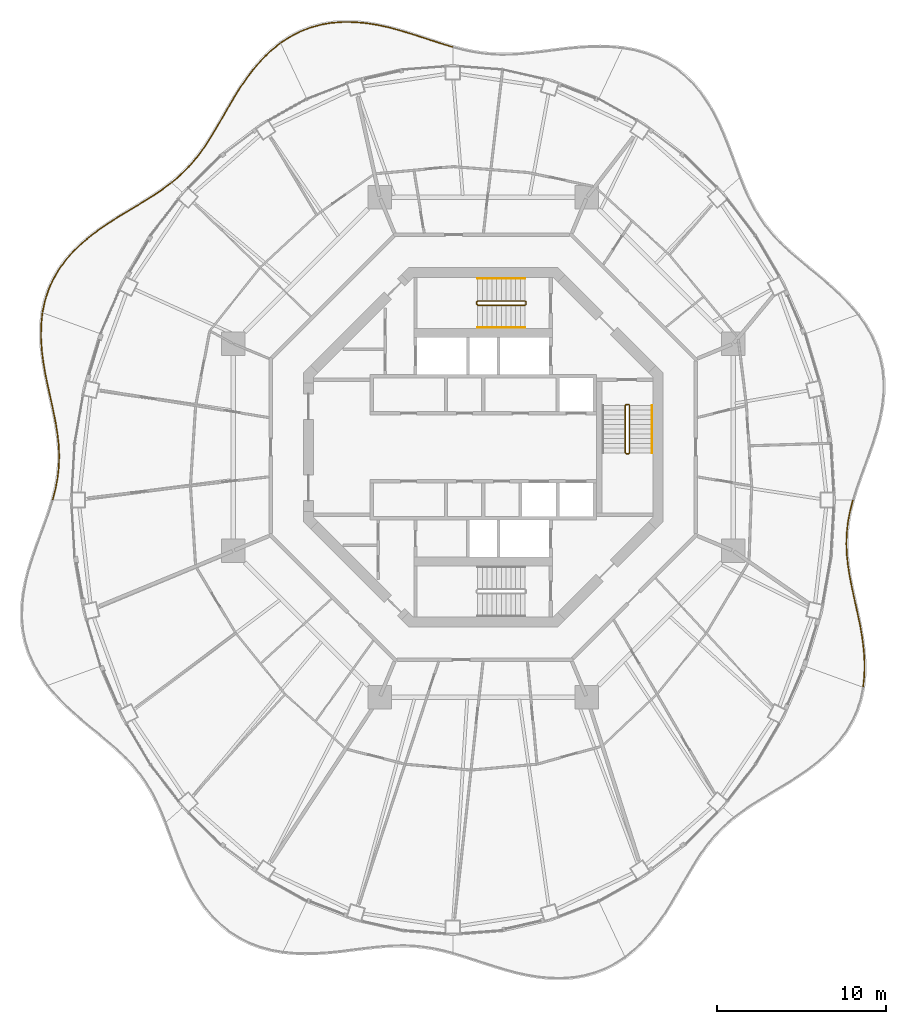
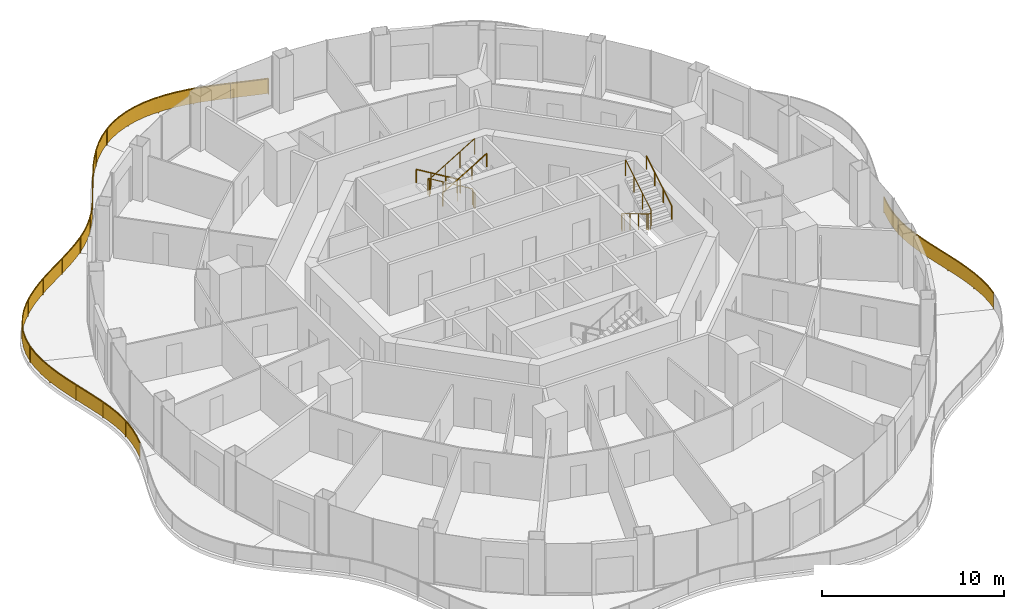
# One storey, part 17 of 18: 10 railings.
"""IFC4 building model written with IfcOpenShell, lengths in metres."""

from ifc_helpers import new_model, si_unit, direction, frame, origin, origin_2d, place, context, subcontext, project, spatial, polyline, rectangle, circle, outline, extrude, material, type_object, element, save


model = new_model("IFC4")

# Units and contexts
model_context = context("Model", 3, precision=1e-05, world=origin(), true_north=direction((0.0, 1.0)))
body_context = subcontext(model_context, "Body", "Model", "MODEL_VIEW")
ifc_project = project(units=[si_unit("LENGTHUNIT", "METRE"), si_unit("AREAUNIT", "SQUARE_METRE"), si_unit("VOLUMEUNIT", "CUBIC_METRE"), si_unit("PLANEANGLEUNIT", "RADIAN"), si_unit("MASSUNIT", "GRAM", prefix="KILO")], contexts=[model_context])

# Site, building, storey
site_placement = place(None, origin())
site = spatial("IfcSite", under=ifc_project, at=site_placement, CompositionType="ELEMENT")
building_placement = place(site_placement, origin())
building = spatial("IfcBuilding", under=site, at=building_placement, Name="Nagisa Residences", CompositionType="ELEMENT")
storey_placement = place(building_placement, frame((0.0, 0.0, 284.39990234375)))
storey = spatial("IfcBuildingStorey", under=building, at=storey_placement, Name="L72", CompositionType="ELEMENT", Elevation=284.39990234375)

# Railings
ifc_material_1 = material(Name="Stainless steel 316", Category="steel")
railing_type_1 = type_object("IfcRailingType", Name="BALCONY GUARD 1100", PredefinedType="BALUSTRADE", material=ifc_material_1)
railing_1_placement = place(storey_placement, frame((-1.83447265625, 23.665771484375, 0.0)))
element("IfcRailing", 1, at=railing_1_placement, inside=storey, type_object=railing_type_1, Name="guard:L72:bal04-0", PredefinedType="BALUSTRADE", context=body_context, shape_type="SweptSolid", body=[
    extrude(outline(polyline([(-0.560791015625, 0.142822265625), (-0.00732421875, -0.02392578125), (0.00732421875, 0.02392578125), (-0.546142578125, 0.190673828125), (-1.154296875, 0.3857421875), (-1.776611328125, 0.59033203125), (-2.4140625, 0.795166015625), (-3.065185546875, 0.990478515625), (-3.7119140625, 1.169189453125), (-4.386962890625, 1.316162109375), (-5.06884765625, 1.4248046875), (-5.75341796875, 1.487060546875), (-6.435546875, 1.495849609375), (-7.093994140625, 1.450439453125), (-7.754638671875, 1.33740234375), (-8.3974609375, 1.159423828125), (-9.0166015625, 0.916748046875), (-9.60791015625, 0.611328125), (-10.12646484375, 0.271484375), (-10.09912109375, 0.2294921875), (-9.58251953125, 0.56787109375), (-8.99609375, 0.871337890625), (-8.3818359375, 1.112060546875), (-7.743896484375, 1.28857421875), (-7.088134765625, 1.400634765625), (-6.43408203125, 1.445556640625), (-5.755859375, 1.437255859375), (-5.0751953125, 1.375), (-4.396240234375, 1.266845703125), (-3.72412109375, 1.120361328125), (-3.078857421875, 0.942138671875), (-2.4287109375, 0.747314453125), (-1.792236328125, 0.54296875), (-1.169921875, 0.33837890625), (-0.560791015625, 0.142822265625)])), frame((0.0, 0.0, 1.050048828125)), (0.0, 0.0, 1.0), 0.050048828125),
    extrude(outline(polyline([(-0.5556640625, 0.16015625), (-0.001953125, -0.006591796875), (0.001953125, 0.006591796875), (-0.55126953125, 0.17333984375), (-1.159912109375, 0.36865234375), (-1.7822265625, 0.5732421875), (-2.419189453125, 0.77783203125), (-3.070068359375, 0.97314453125), (-3.71630859375, 1.151611328125), (-4.390380859375, 1.29833984375), (-5.071044921875, 1.40673828125), (-5.75439453125, 1.46923828125), (-6.43505859375, 1.477783203125), (-7.091796875, 1.4326171875), (-7.750732421875, 1.31982421875), (-8.391845703125, 1.142333984375), (-9.00927734375, 0.900390625), (-9.5986328125, 0.595703125), (-10.11669921875, 0.25634765625), (-10.10888671875, 0.24462890625), (-9.591796875, 0.58349609375), (-9.00341796875, 0.8876953125), (-8.387451171875, 1.129150390625), (-7.747802734375, 1.30615234375), (-7.09033203125, 1.41845703125), (-6.4345703125, 1.463623046875), (-5.7548828125, 1.455078125), (-5.072998046875, 1.39306640625), (-4.392822265625, 1.28466796875), (-3.7197265625, 1.137939453125), (-3.073974609375, 0.95947265625), (-2.423583984375, 0.7646484375), (-1.78662109375, 0.56005859375), (-1.164306640625, 0.35546875), (-0.5556640625, 0.16015625)])), frame((0.0, 0.0, 0.06005859375)), (0.0, 0.0, 1.0), 0.989990234375),
    extrude(rectangle(XDim=0.0400390625, YDim=0.0400390625, at=origin_2d()), origin(), (0.0, 0.0, 1.0), 1.050048828125),
    extrude(rectangle(XDim=0.0400390625, YDim=0.0400390625, at=origin_2d()), frame((-2.014404296875, 0.640380859375, 0.0)), (0.0, 0.0, 1.0), 1.050048828125),
    extrude(rectangle(XDim=0.0400390625, YDim=0.0400390625, at=origin_2d()), frame((-4.047119140625, 1.216552734375, 0.0)), (0.0, 0.0, 1.0), 1.050048828125),
    extrude(rectangle(XDim=0.0400390625, YDim=0.0400390625, at=origin_2d()), frame((-6.141357421875, 1.467041015625, 0.0)), (0.0, 0.0, 1.0), 1.050048828125),
    extrude(rectangle(XDim=0.0400390625, YDim=0.0400390625, at=origin_2d()), frame((-8.22607421875, 1.180908203125, 0.0)), (0.0, 0.0, 1.0), 1.050048828125),
    extrude(rectangle(XDim=0.0400390625, YDim=0.0400390625, at=origin_2d()), frame((-10.11279296875, 0.25048828125, 0.0)), (0.0, 0.0, 1.0), 1.050048828125),
])
railing_2_placement = place(storey_placement, frame((-12.009765625, 23.87060546875, 0.0)))
element("IfcRailing", 2, at=railing_2_placement, inside=storey, type_object=railing_type_1, Name="guard:L72:bal05-0", PredefinedType="BALUSTRADE", context=body_context, shape_type="SweptSolid", body=[
    extrude(outline(polyline([(-0.4892578125, -0.4248046875), (0.015625, -0.01953125), (-0.015625, 0.01953125), (-0.5224609375, -0.38720703125), (-1.0302734375, -0.873779296875), (-1.501220703125, -1.40234375), (-1.93701171875, -1.963623046875), (-2.340576171875, -2.54736328125), (-2.70458984375, -3.135009765625), (-3.060546875, -3.734130859375), (-3.402587890625, -4.327392578125), (-3.737060546875, -4.906494140625), (-4.072509765625, -5.46533203125), (-4.4033203125, -5.988037109375), (-4.7607421875, -6.492431640625), (-5.138916015625, -6.966796875), (-5.542724609375, -7.410888671875), (-5.97509765625, -7.826904296875), (-6.406005859375, -8.190673828125), (-6.373779296875, -8.228759765625), (-5.94140625, -7.864013671875), (-5.506591796875, -7.445556640625), (-5.100830078125, -6.9990234375), (-4.720703125, -6.522705078125), (-4.36181640625, -6.015869140625), (-4.030029296875, -5.49169921875), (-3.694091796875, -4.931884765625), (-3.359130859375, -4.352294921875), (-3.017578125, -3.759521484375), (-2.66162109375, -3.160888671875), (-2.298583984375, -2.57470703125), (-1.896484375, -1.993408203125), (-1.462646484375, -1.4345703125), (-0.994140625, -0.908447265625), (-0.4892578125, -0.4248046875)])), frame((0.0, 0.0, 1.050048828125)), (0.0, 0.0, 1.0), 0.050048828125),
    extrude(outline(polyline([(-0.501220703125, -0.411376953125), (0.00439453125, -0.00537109375), (-0.00439453125, 0.00537109375), (-0.510498046875, -0.400634765625), (-1.017333984375, -0.88623046875), (-1.4873046875, -1.4140625), (-1.92236328125, -1.974365234375), (-2.325439453125, -2.55712890625), (-2.689208984375, -3.144287109375), (-3.045166015625, -3.743408203125), (-3.386962890625, -4.33642578125), (-3.7216796875, -4.91552734375), (-4.05712890625, -5.474853515625), (-4.388427734375, -5.998046875), (-4.746337890625, -6.50341796875), (-5.125244140625, -6.978271484375), (-5.52978515625, -7.42333984375), (-5.962890625, -7.84033203125), (-6.394287109375, -8.204345703125), (-6.385498046875, -8.215087890625), (-5.95361328125, -7.8505859375), (-5.51953125, -7.43310546875), (-5.114501953125, -6.987548828125), (-4.735107421875, -6.51171875), (-4.376708984375, -6.005859375), (-4.04541015625, -5.482177734375), (-3.70947265625, -4.9228515625), (-3.374755859375, -4.34326171875), (-3.032958984375, -3.750244140625), (-2.677001953125, -3.151611328125), (-2.313720703125, -2.56494140625), (-1.9111328125, -1.982666015625), (-1.4765625, -1.4228515625), (-1.007080078125, -0.89599609375), (-0.501220703125, -0.411376953125)])), frame((0.0, 0.0, 0.06005859375)), (0.0, 0.0, 1.0), 0.989990234375),
    extrude(rectangle(XDim=0.0400390625, YDim=0.0400390625, at=origin_2d()), origin(), (0.0, 0.0, 1.0), 1.050048828125),
    extrude(rectangle(XDim=0.0400390625, YDim=0.0400390625, at=origin_2d()), frame((-1.506591796875, -1.4501953125, 0.0)), (0.0, 0.0, 1.0), 1.050048828125),
    extrude(rectangle(XDim=0.0400390625, YDim=0.0400390625, at=origin_2d()), frame((-2.697998046875, -3.1728515625, 0.0)), (0.0, 0.0, 1.0), 1.050048828125),
    extrude(rectangle(XDim=0.0400390625, YDim=0.0400390625, at=origin_2d()), frame((-3.754150390625, -4.983642578125, 0.0)), (0.0, 0.0, 1.0), 1.050048828125),
    extrude(rectangle(XDim=0.0400390625, YDim=0.0400390625, at=origin_2d()), frame((-4.915283203125, -6.7265625, 0.0)), (0.0, 0.0, 1.0), 1.050048828125),
    extrude(rectangle(XDim=0.0400390625, YDim=0.0400390625, at=origin_2d()), frame((-6.389892578125, -8.209716796875, 0.0)), (0.0, 0.0, 1.0), 1.050048828125),
])
railing_3_placement = place(storey_placement, frame((-18.455810546875, 15.618408203125, 0.0)))
element("IfcRailing", 3, at=railing_3_placement, inside=storey, type_object=railing_type_1, Name="guard:L72:bal06-0", PredefinedType="BALUSTRADE", context=body_context, shape_type="SweptSolid", body=[
    extrude(outline(polyline([(-0.471923828125, -0.3837890625), (0.014892578125, -0.02001953125), (-0.014892578125, 0.02001953125), (-0.500732421875, -0.3427734375), (-1.0517578125, -0.7158203125), (-1.630615234375, -1.080322265625), (-2.23046875, -1.443603515625), (-2.84375, -1.813720703125), (-3.45263671875, -2.18603515625), (-4.063232421875, -2.591552734375), (-4.656005859375, -3.023681640625), (-5.219970703125, -3.487060546875), (-5.744384765625, -3.98486328125), (-6.212890625, -4.505859375), (-6.63037109375, -5.075927734375), (-6.9833984375, -5.68017578125), (-7.267822265625, -6.31640625), (-7.4814453125, -6.98046875), (-7.614013671875, -7.62158203125), (-7.565185546875, -7.6318359375), (-7.43310546875, -6.9931640625), (-7.220947265625, -6.33447265625), (-6.93896484375, -5.703125), (-6.58837890625, -5.103271484375), (-6.173828125, -4.53759765625), (-5.708251953125, -4.02001953125), (-5.186767578125, -3.524658203125), (-4.625244140625, -3.063232421875), (-4.034423828125, -2.632568359375), (-3.42578125, -2.22802734375), (-2.81787109375, -1.856689453125), (-2.20458984375, -1.486572265625), (-1.604248046875, -1.122802734375), (-1.0244140625, -0.7578125), (-0.471923828125, -0.3837890625)])), frame((0.0, 0.0, 1.050048828125)), (0.0, 0.0, 1.0), 0.050048828125),
    extrude(outline(polyline([(-0.482177734375, -0.368896484375), (0.004150390625, -0.005615234375), (-0.004150390625, 0.005615234375), (-0.490478515625, -0.357666015625), (-1.0419921875, -0.73095703125), (-1.62109375, -1.095703125), (-2.22119140625, -1.458984375), (-2.83447265625, -1.8291015625), (-3.44287109375, -2.201171875), (-4.052734375, -2.606201171875), (-4.64501953125, -3.037841796875), (-5.2080078125, -3.500732421875), (-5.7314453125, -3.99755859375), (-6.19873046875, -4.517333984375), (-6.615234375, -5.085693359375), (-6.967529296875, -5.6884765625), (-7.2509765625, -6.322998046875), (-7.464111328125, -6.985107421875), (-7.596435546875, -7.625244140625), (-7.582763671875, -7.628173828125), (-7.450439453125, -6.988525390625), (-7.23779296875, -6.327880859375), (-6.954833984375, -5.69482421875), (-6.603515625, -5.093505859375), (-6.18798828125, -4.526123046875), (-5.72119140625, -4.00732421875), (-5.19873046875, -3.510986328125), (-4.63623046875, -3.049072265625), (-4.044921875, -2.617919921875), (-3.435546875, -2.212890625), (-2.8271484375, -1.84130859375), (-2.2138671875, -1.47119140625), (-1.61376953125, -1.107421875), (-1.0341796875, -0.74267578125), (-0.482177734375, -0.368896484375)])), frame((0.0, 0.0, 0.06005859375)), (0.0, 0.0, 1.0), 0.989990234375),
    extrude(rectangle(XDim=0.0400390625, YDim=0.0400390625, at=origin_2d()), origin(), (0.0, 0.0, 1.0), 1.050048828125),
    extrude(rectangle(XDim=0.0400390625, YDim=0.0400390625, at=origin_2d()), frame((-1.84912109375, -1.241943359375, 0.0)), (0.0, 0.0, 1.0), 1.050048828125),
    extrude(rectangle(XDim=0.0400390625, YDim=0.0400390625, at=origin_2d()), frame((-3.74658203125, -2.4111328125, 0.0)), (0.0, 0.0, 1.0), 1.050048828125),
    extrude(rectangle(XDim=0.0400390625, YDim=0.0400390625, at=origin_2d()), frame((-5.497314453125, -3.784912109375, 0.0)), (0.0, 0.0, 1.0), 1.050048828125),
    extrude(rectangle(XDim=0.0400390625, YDim=0.0400390625, at=origin_2d()), frame((-6.8671875, -5.530517578125, 0.0)), (0.0, 0.0, 1.0), 1.050048828125),
    extrude(rectangle(XDim=0.0400390625, YDim=0.0400390625, at=origin_2d()), frame((-7.589599609375, -7.626708984375, 0.0)), (0.0, 0.0, 1.0), 1.050048828125),
])
railing_4_placement = place(storey_placement, frame((-26.056884765625, 7.915283203125, 0.0)))
element("IfcRailing", 4, at=railing_4_placement, inside=storey, type_object=railing_type_1, Name="guard:L72:bal07-0", PredefinedType="BALUSTRADE", context=body_context, shape_type="SweptSolid", body=[
    extrude(outline(polyline([(-0.046142578125, -0.680908203125), (0.02490234375, -0.002685546875), (-0.02490234375, 0.002685546875), (-0.095947265625, -0.677978515625), (-0.107421875, -1.417236328125), (-0.061279296875, -2.1630859375), (0.031982421875, -2.90869140625), (0.16015625, -3.6494140625), (0.313720703125, -4.367431640625), (0.47216796875, -5.08642578125), (0.6259765625, -5.791015625), (0.76220703125, -6.48046875), (0.869873046875, -7.155517578125), (0.94189453125, -7.8037109375), (0.967041015625, -8.455322265625), (0.94384765625, -9.10009765625), (0.8701171875, -9.7421875), (0.74755859375, -10.38525390625), (0.590576171875, -10.991943359375), (0.638916015625, -11.004638671875), (0.79638671875, -10.39599609375), (0.91943359375, -9.74951171875), (0.99365234375, -9.10400390625), (1.017333984375, -8.455322265625), (0.99169921875, -7.7998046875), (0.919677734375, -7.148681640625), (0.8115234375, -6.4716796875), (0.6748046875, -5.78076171875), (0.52099609375, -5.07568359375), (0.362548828125, -4.356689453125), (0.20947265625, -3.64013671875), (0.081298828125, -2.9013671875), (-0.011474609375, -2.158203125), (-0.05712890625, -1.416259765625), (-0.046142578125, -0.680908203125)])), frame((0.0, 0.0, 1.050048828125)), (0.0, 0.0, 1.0), 0.050048828125),
    extrude(outline(polyline([(-0.06396484375, -0.679931640625), (0.007080078125, -0.000732421875), (-0.007080078125, 0.000732421875), (-0.078125, -0.678955078125), (-0.08935546875, -1.4169921875), (-0.04345703125, -2.161376953125), (0.0498046875, -2.906005859375), (0.177978515625, -3.64599609375), (0.331298828125, -4.363525390625), (0.48974609375, -5.08251953125), (0.6435546875, -5.787353515625), (0.780029296875, -6.477294921875), (0.887939453125, -7.153076171875), (0.959716796875, -7.80224609375), (0.985107421875, -8.455322265625), (0.961669921875, -9.1015625), (0.887939453125, -9.744873046875), (0.76513671875, -10.38916015625), (0.60791015625, -10.99658203125), (0.62158203125, -11.0), (0.77880859375, -10.39208984375), (0.901611328125, -9.746826171875), (0.975830078125, -9.1025390625), (0.999267578125, -8.455322265625), (0.973876953125, -7.80126953125), (0.901611328125, -7.151123046875), (0.793701171875, -6.474853515625), (0.6572265625, -5.784423828125), (0.50341796875, -5.07958984375), (0.344970703125, -4.360595703125), (0.191650390625, -3.6435546875), (0.0634765625, -2.904052734375), (-0.029296875, -2.159912109375), (-0.0751953125, -1.41650390625), (-0.06396484375, -0.679931640625)])), frame((0.0, 0.0, 0.06005859375)), (0.0, 0.0, 1.0), 0.989990234375),
    extrude(rectangle(XDim=0.0400390625, YDim=0.0400390625, at=origin_2d()), origin(), (0.0, 0.0, 1.0), 1.050048828125),
    extrude(rectangle(XDim=0.0400390625, YDim=0.0400390625, at=origin_2d()), frame((-0.02880859375, -2.220947265625, 0.0)), (0.0, 0.0, 1.0), 1.050048828125),
    extrude(rectangle(XDim=0.0400390625, YDim=0.0400390625, at=origin_2d()), frame((0.349609375, -4.413818359375, 0.0)), (0.0, 0.0, 1.0), 1.050048828125),
    extrude(rectangle(XDim=0.0400390625, YDim=0.0400390625, at=origin_2d()), frame((0.805419921875, -6.593017578125, 0.0)), (0.0, 0.0, 1.0), 1.050048828125),
    extrude(rectangle(XDim=0.0400390625, YDim=0.0400390625, at=origin_2d()), frame((0.9794921875, -8.8076171875, 0.0)), (0.0, 0.0, 1.0), 1.050048828125),
    extrude(rectangle(XDim=0.0400390625, YDim=0.0400390625, at=origin_2d()), frame((0.61474609375, -10.998291015625, 0.0)), (0.0, 0.0, 1.0), 1.050048828125),
])
railing_5_placement = place(storey_placement, frame((22.45703125, -14.150634765625, 0.0)))
element("IfcRailing", 5, at=railing_5_placement, inside=storey, type_object=railing_type_1, Name="guard:L72:bal15-0", PredefinedType="BALUSTRADE", context=body_context, shape_type="SweptSolid", body=[
    extrude(outline(polyline([(0.0458984375, 0.680908203125), (-0.02490234375, 0.002685546875), (0.02490234375, -0.002685546875), (0.095703125, 0.677978515625), (0.107421875, 1.417236328125), (0.06103515625, 2.1630859375), (-0.0322265625, 2.90869140625), (-0.16015625, 3.6494140625), (-0.313720703125, 4.367431640625), (-0.472412109375, 5.08642578125), (-0.626220703125, 5.791015625), (-0.762451171875, 6.48046875), (-0.8701171875, 7.155517578125), (-0.94189453125, 7.8037109375), (-0.96728515625, 8.455322265625), (-0.94384765625, 9.10009765625), (-0.870361328125, 9.7421875), (-0.747802734375, 10.385009765625), (-0.5908203125, 10.991943359375), (-0.63916015625, 11.004638671875), (-0.796630859375, 10.395751953125), (-0.919677734375, 9.74951171875), (-0.99365234375, 9.10400390625), (-1.017578125, 8.455322265625), (-0.99169921875, 7.7998046875), (-0.919921875, 7.148681640625), (-0.811767578125, 6.4716796875), (-0.675048828125, 5.78076171875), (-0.521240234375, 5.07568359375), (-0.362548828125, 4.356689453125), (-0.20947265625, 3.64013671875), (-0.08154296875, 2.9013671875), (0.01123046875, 2.158203125), (0.05712890625, 1.416259765625), (0.0458984375, 0.680908203125)])), frame((0.0, 0.0, 1.050048828125)), (0.0, 0.0, 1.0), 0.050048828125),
    extrude(outline(polyline([(0.063720703125, 0.679931640625), (-0.007080078125, 0.000732421875), (0.007080078125, -0.000732421875), (0.077880859375, 0.678955078125), (0.08935546875, 1.4169921875), (0.043212890625, 2.161376953125), (-0.050048828125, 2.906005859375), (-0.177978515625, 3.64599609375), (-0.331298828125, 4.363525390625), (-0.489990234375, 5.08251953125), (-0.643798828125, 5.787353515625), (-0.7802734375, 6.477294921875), (-0.88818359375, 7.153076171875), (-0.959716796875, 7.80224609375), (-0.9853515625, 8.455322265625), (-0.961669921875, 9.1015625), (-0.88818359375, 9.744873046875), (-0.765380859375, 10.388916015625), (-0.608154296875, 10.99658203125), (-0.621826171875, 11.0), (-0.779052734375, 10.391845703125), (-0.90185546875, 9.746826171875), (-0.975830078125, 9.1025390625), (-0.99951171875, 8.455322265625), (-0.973876953125, 7.80126953125), (-0.90185546875, 7.151123046875), (-0.7939453125, 6.474853515625), (-0.657470703125, 5.784423828125), (-0.503662109375, 5.07958984375), (-0.344970703125, 4.360595703125), (-0.191650390625, 3.6435546875), (-0.063720703125, 2.904052734375), (0.029052734375, 2.159912109375), (0.0751953125, 1.41650390625), (0.063720703125, 0.679931640625)])), frame((0.0, 0.0, 0.06005859375)), (0.0, 0.0, 1.0), 0.989990234375),
    extrude(rectangle(XDim=0.0400390625, YDim=0.0400390625, at=origin_2d()), origin(), (0.0, 0.0, 1.0), 1.050048828125),
    extrude(rectangle(XDim=0.0400390625, YDim=0.0400390625, at=origin_2d()), frame((0.028564453125, 2.220947265625, 0.0)), (0.0, 0.0, 1.0), 1.050048828125),
    extrude(rectangle(XDim=0.0400390625, YDim=0.0400390625, at=origin_2d()), frame((-0.349609375, 4.413818359375, 0.0)), (0.0, 0.0, 1.0), 1.050048828125),
    extrude(rectangle(XDim=0.0400390625, YDim=0.0400390625, at=origin_2d()), frame((-0.8056640625, 6.5927734375, 0.0)), (0.0, 0.0, 1.0), 1.050048828125),
    extrude(rectangle(XDim=0.0400390625, YDim=0.0400390625, at=origin_2d()), frame((-0.9794921875, 8.8076171875, 0.0)), (0.0, 0.0, 1.0), 1.050048828125),
    extrude(rectangle(XDim=0.0400390625, YDim=0.0400390625, at=origin_2d()), frame((-0.614990234375, 10.998291015625, 0.0)), (0.0, 0.0, 1.0), 1.050048828125),
])
ifc_material_2 = material(Name="Stainless steel", Category="steel")
railing_type_2 = type_object("IfcRailingType", Name="Stair guard 1100", PredefinedType="GUARDRAIL", material=ifc_material_2)
railing_6_placement = place(storey_placement, frame((8.599609375, 2.52490234375, 0.0)))
element("IfcRailing", 6, at=railing_6_placement, inside=storey, type_object=railing_type_2, Name="L72 ST-E stair guard 1", PredefinedType="GUARDRAIL", context=body_context, shape_type="SweptSolid", body=[
    extrude(circle(Radius=0.02392578125, at=origin_2d()), frame((0.0, 0.0, 1.076171875), z_axis=(-1.0, 0.0, 0.0), x_axis=(0.0, -1.0, 0.0)), (0.0, 0.0, 1.0), 0.14990234375),
    extrude(circle(Radius=0.02392578125, at=origin_2d()), frame((-0.14990234375, 0.0, 1.076171875), z_axis=(-0.27434429532, -0.273006030465, 0.922064485248), x_axis=(0.705375805398, -0.708833529934, 0.0)), (0.0, 0.0, 1.0), 0.182373046875),
    extrude(circle(Radius=0.02392578125, at=origin_2d()), frame((-0.199951171875, -0.0498046875, 1.244140625), z_axis=(0.0, -0.857242210791, 0.514913383045), x_axis=(1.0, 0.0, 0.0)), (0.0, 0.0, 1.0), 3.266357421875),
    extrude(circle(Radius=0.02392578125, at=origin_2d()), frame((-0.199951171875, -2.849853515625, 2.92626953125), z_axis=(0.707106781187, -0.707106781187, 0.0), x_axis=(0.707106781187, 0.707106781187, 0.0)), (0.0, 0.0, 1.0), 0.07080078125),
    extrude(circle(Radius=0.02392578125, at=origin_2d()), frame((-0.14990234375, -2.89990234375, 2.92626953125), z_axis=(1.0, 0.0, 0.0), x_axis=(0.0, 1.0, 0.0)), (0.0, 0.0, 1.0), 0.14990234375),
    extrude(circle(Radius=0.02392578125, at=origin_2d()), frame((0.0, -2.89990234375, 2.92626953125), z_axis=(0.274243871929, 0.274243871929, 0.92172696468), x_axis=(-0.707106781187, 0.707106781187, 0.0)), (0.0, 0.0, 1.0), 0.1826171875),
    extrude(circle(Radius=0.02392578125, at=origin_2d()), frame((0.050048828125, -2.849853515625, 3.09423828125), z_axis=(0.0, 0.857242210791, 0.514913383045), x_axis=(-1.0, 0.0, 0.0)), (0.0, 0.0, 1.0), 3.266357421875),
    extrude(circle(Radius=0.02099609375, at=origin_2d()), origin(), (0.0, 0.0, 1.0), 1.052001953125),
    extrude(circle(Radius=0.02099609375, at=origin_2d()), frame((-0.14990234375, 0.0, 0.0)), (0.0, 0.0, 1.0), 1.052001953125),
    extrude(circle(Radius=0.02099609375, at=origin_2d()), frame((-0.199951171875, -0.0498046875, 0.168212890625)), (0.0, 0.0, 1.0), 1.052001953125),
    extrude(circle(Radius=0.02099609375, at=origin_2d()), frame((-0.199951171875, -0.983154296875, 0.728759765625)), (0.0, 0.0, 1.0), 1.052001953125),
    extrude(circle(Radius=0.02099609375, at=origin_2d()), frame((-0.199951171875, -1.91650390625, 1.28955078125)), (0.0, 0.0, 1.0), 1.052001953125),
    extrude(circle(Radius=0.02099609375, at=origin_2d()), frame((-0.199951171875, -2.849853515625, 1.85009765625)), (0.0, 0.0, 1.0), 1.052001953125),
    extrude(circle(Radius=0.02099609375, at=origin_2d()), frame((-0.14990234375, -2.89990234375, 1.85009765625)), (0.0, 0.0, 1.0), 1.052001953125),
    extrude(circle(Radius=0.02099609375, at=origin_2d()), frame((0.0, -2.89990234375, 1.85009765625)), (0.0, 0.0, 1.0), 1.052001953125),
    extrude(circle(Radius=0.02099609375, at=origin_2d()), frame((0.050048828125, -2.849853515625, 2.018310546875)), (0.0, 0.0, 1.0), 1.052001953125),
    extrude(circle(Radius=0.02099609375, at=origin_2d()), frame((0.050048828125, -1.91650390625, 2.578857421875)), (0.0, 0.0, 1.0), 1.052001953125),
    extrude(circle(Radius=0.02099609375, at=origin_2d()), frame((0.050048828125, -0.983154296875, 3.1396484375)), (0.0, 0.0, 1.0), 1.052001953125),
    extrude(circle(Radius=0.02099609375, at=origin_2d()), frame((0.050048828125, -0.0498046875, 3.7001953125)), (0.0, 0.0, 1.0), 1.052001953125),
])
railing_7_placement = place(storey_placement, frame((2.52490234375, 8.44970703125, 0.0)))
element("IfcRailing", 7, at=railing_7_placement, inside=storey, type_object=railing_type_2, Name="L72 ST-N stair guard 1", PredefinedType="GUARDRAIL", context=body_context, shape_type="SweptSolid", body=[
    extrude(circle(Radius=0.02392578125, at=origin_2d()), frame((0.0, 0.0, 1.076171875), z_axis=(0.0, 1.0, 0.0), x_axis=(-1.0, 0.0, 0.0)), (0.0, 0.0, 1.0), 0.14990234375),
    extrude(circle(Radius=0.02392578125, at=origin_2d()), frame((0.0, 0.14990234375, 1.076171875), z_axis=(-0.273006030465, 0.27434429532, 0.922064485248), x_axis=(-0.708833529934, -0.705375805398, 0.0)), (0.0, 0.0, 1.0), 0.182373046875),
    extrude(circle(Radius=0.02392578125, at=origin_2d()), frame((-0.0498046875, 0.199951171875, 1.244140625), z_axis=(-0.857242210791, 0.0, 0.514913383045), x_axis=(0.0, -1.0, 0.0)), (0.0, 0.0, 1.0), 3.266357421875),
    extrude(circle(Radius=0.02392578125, at=origin_2d()), frame((-2.849853515625, 0.199951171875, 2.92626953125), z_axis=(-0.707106781187, -0.707106781187, 0.0), x_axis=(0.707106781187, -0.707106781187, 0.0)), (0.0, 0.0, 1.0), 0.07080078125),
    extrude(circle(Radius=0.02392578125, at=origin_2d()), frame((-2.89990234375, 0.14990234375, 2.92626953125), z_axis=(0.0, -1.0, 0.0), x_axis=(1.0, 0.0, 0.0)), (0.0, 0.0, 1.0), 0.14990234375),
    extrude(circle(Radius=0.02392578125, at=origin_2d()), frame((-2.89990234375, 0.0, 2.92626953125), z_axis=(0.274243871929, -0.274243871929, 0.92172696468), x_axis=(0.707106781187, 0.707106781187, 0.0)), (0.0, 0.0, 1.0), 0.1826171875),
    extrude(circle(Radius=0.02392578125, at=origin_2d()), frame((-2.849853515625, -0.050048828125, 3.09423828125), z_axis=(0.857242210791, 0.0, 0.514913383045), x_axis=(0.0, 1.0, 0.0)), (0.0, 0.0, 1.0), 3.266357421875),
    extrude(circle(Radius=0.02099609375, at=origin_2d()), origin(), (0.0, 0.0, 1.0), 1.052001953125),
    extrude(circle(Radius=0.02099609375, at=origin_2d()), frame((0.0, 0.14990234375, 0.0)), (0.0, 0.0, 1.0), 1.052001953125),
    extrude(circle(Radius=0.02099609375, at=origin_2d()), frame((-0.0498046875, 0.199951171875, 0.168212890625)), (0.0, 0.0, 1.0), 1.052001953125),
    extrude(circle(Radius=0.02099609375, at=origin_2d()), frame((-0.983154296875, 0.199951171875, 0.728759765625)), (0.0, 0.0, 1.0), 1.052001953125),
    extrude(circle(Radius=0.02099609375, at=origin_2d()), frame((-1.91650390625, 0.199951171875, 1.28955078125)), (0.0, 0.0, 1.0), 1.052001953125),
    extrude(circle(Radius=0.02099609375, at=origin_2d()), frame((-2.849853515625, 0.199951171875, 1.85009765625)), (0.0, 0.0, 1.0), 1.052001953125),
    extrude(circle(Radius=0.02099609375, at=origin_2d()), frame((-2.89990234375, 0.14990234375, 1.85009765625)), (0.0, 0.0, 1.0), 1.052001953125),
    extrude(circle(Radius=0.02099609375, at=origin_2d()), frame((-2.89990234375, 0.0, 1.85009765625)), (0.0, 0.0, 1.0), 1.052001953125),
    extrude(circle(Radius=0.02099609375, at=origin_2d()), frame((-2.849853515625, -0.050048828125, 2.018310546875)), (0.0, 0.0, 1.0), 1.052001953125),
    extrude(circle(Radius=0.02099609375, at=origin_2d()), frame((-1.91650390625, -0.050048828125, 2.578857421875)), (0.0, 0.0, 1.0), 1.052001953125),
    extrude(circle(Radius=0.02099609375, at=origin_2d()), frame((-0.983154296875, -0.050048828125, 3.1396484375)), (0.0, 0.0, 1.0), 1.052001953125),
    extrude(circle(Radius=0.02099609375, at=origin_2d()), frame((-0.0498046875, -0.050048828125, 3.7001953125)), (0.0, 0.0, 1.0), 1.052001953125),
])
ifc_material_3 = material(Name="Stainless steel", Category="steel")
railing_type_3 = type_object("IfcRailingType", Name="Stair handrail 900", PredefinedType="HANDRAIL", material=ifc_material_3)
railing_8_placement = place(storey_placement, frame((9.974609375, -0.324951171875, 2.018310546875)))
element("IfcRailing", 8, at=railing_8_placement, inside=storey, type_object=railing_type_3, Name="L72 ST-E stair handrail 2", PredefinedType="HANDRAIL", context=body_context, shape_type="SweptSolid", body=[
    extrude(circle(Radius=0.02392578125, at=origin_2d()), frame((0.0, 0.0, 0.8759765625), z_axis=(0.0, 0.857242210791, 0.514913383045), x_axis=(-1.0, 0.0, 0.0)), (0.0, 0.0, 1.0), 3.266357421875),
    extrude(circle(Radius=0.02099609375, at=origin_2d()), origin(), (0.0, 0.0, 1.0), 0.851806640625),
    extrude(circle(Radius=0.02099609375, at=origin_2d()), frame((0.0, 0.933349609375, 0.560546875)), (0.0, 0.0, 1.0), 0.851806640625),
    extrude(circle(Radius=0.02099609375, at=origin_2d()), frame((0.0, 1.86669921875, 1.121337890625)), (0.0, 0.0, 1.0), 0.851806640625),
    extrude(circle(Radius=0.02099609375, at=origin_2d()), frame((0.0, 2.800048828125, 1.681884765625)), (0.0, 0.0, 1.0), 0.851806640625),
])
railing_9_placement = place(storey_placement, frame((2.47509765625, 9.974609375, 0.168212890625)))
element("IfcRailing", 9, at=railing_9_placement, inside=storey, type_object=railing_type_3, Name="L72 ST-N stair handrail 1", PredefinedType="HANDRAIL", context=body_context, shape_type="SweptSolid", body=[
    extrude(circle(Radius=0.02392578125, at=origin_2d()), frame((0.0, 0.0, 0.8759765625), z_axis=(-0.857242210791, 0.0, 0.514913383045), x_axis=(0.0, -1.0, 0.0)), (0.0, 0.0, 1.0), 3.266357421875),
    extrude(circle(Radius=0.02099609375, at=origin_2d()), origin(), (0.0, 0.0, 1.0), 0.851806640625),
    extrude(circle(Radius=0.02099609375, at=origin_2d()), frame((-0.933349609375, 0.0, 0.560546875)), (0.0, 0.0, 1.0), 0.851806640625),
    extrude(circle(Radius=0.02099609375, at=origin_2d()), frame((-1.86669921875, 0.0, 1.121337890625)), (0.0, 0.0, 1.0), 0.851806640625),
    extrude(circle(Radius=0.02099609375, at=origin_2d()), frame((-2.800048828125, 0.0, 1.681884765625)), (0.0, 0.0, 1.0), 0.851806640625),
])
railing_10_placement = place(storey_placement, frame((-0.324951171875, 7.07470703125, 2.018310546875)))
element("IfcRailing", 10, at=railing_10_placement, inside=storey, type_object=railing_type_3, Name="L72 ST-N stair handrail 2", PredefinedType="HANDRAIL", context=body_context, shape_type="SweptSolid", body=[
    extrude(circle(Radius=0.02392578125, at=origin_2d()), frame((0.0, 0.0, 0.8759765625), z_axis=(0.857242210791, 0.0, 0.514913383045), x_axis=(0.0, 1.0, 0.0)), (0.0, 0.0, 1.0), 3.266357421875),
    extrude(circle(Radius=0.02099609375, at=origin_2d()), origin(), (0.0, 0.0, 1.0), 0.851806640625),
    extrude(circle(Radius=0.02099609375, at=origin_2d()), frame((0.933349609375, 0.0, 0.560546875)), (0.0, 0.0, 1.0), 0.851806640625),
    extrude(circle(Radius=0.02099609375, at=origin_2d()), frame((1.86669921875, 0.0, 1.121337890625)), (0.0, 0.0, 1.0), 0.851806640625),
    extrude(circle(Radius=0.02099609375, at=origin_2d()), frame((2.800048828125, 0.0, 1.681884765625)), (0.0, 0.0, 1.0), 0.851806640625),
])

save(model, "model.ifc")
